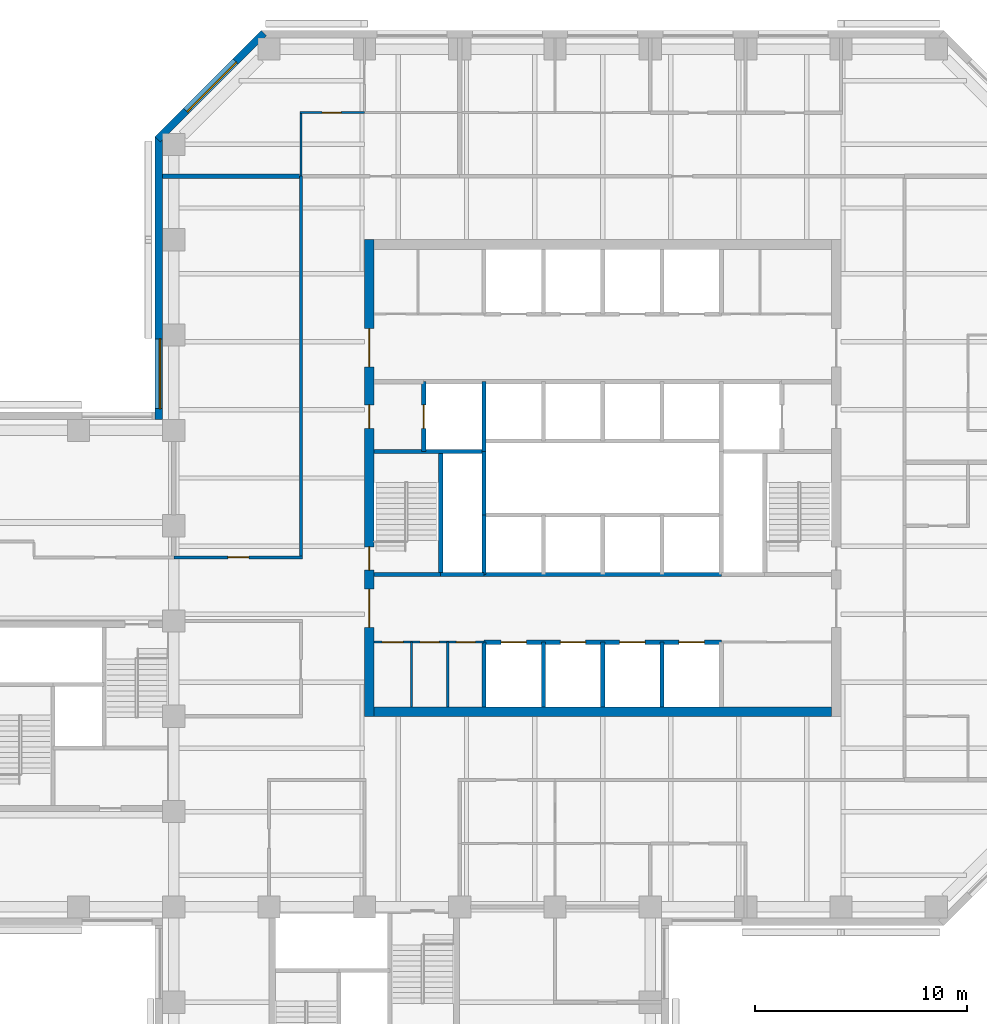
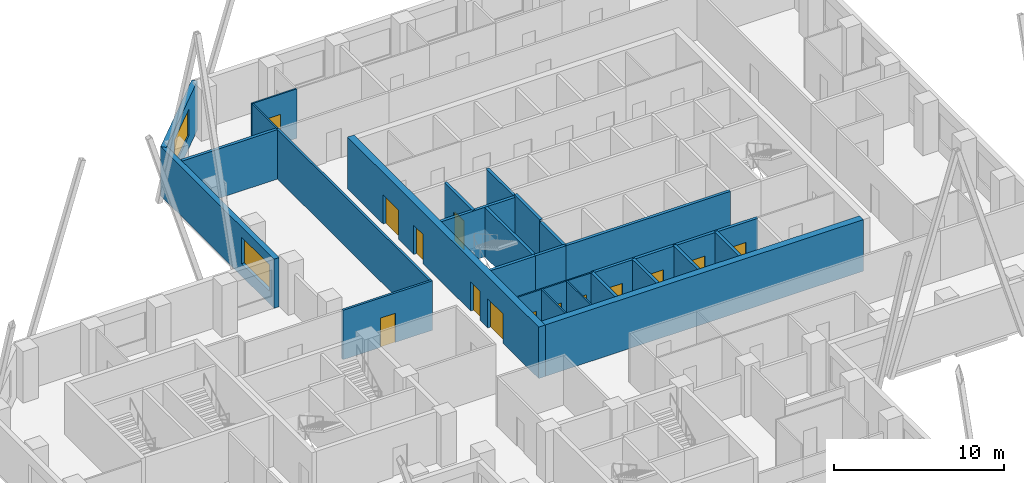
# One storey, part 6 of 10: 26 walls, 14 doors, 2 windows, 16 openings.
"""IFC4 building model written with IfcOpenShell, lengths in metres."""

from ifc_helpers import new_model, si_unit, direction, frame, frame_2d, origin, place, context, subcontext, project, spatial, rectangle, extrude, material, layer, layer_set, constituent, constituent_set, type_object, element, fill, save


model = new_model("IFC4")

# Units and contexts
model_context = context("Model", 3, precision=1e-05, world=origin(), true_north=direction((0.0, 1.0)))
body_context = subcontext(model_context, "Body", "Model", "MODEL_VIEW")
ifc_project = project(units=[si_unit("LENGTHUNIT", "METRE"), si_unit("AREAUNIT", "SQUARE_METRE"), si_unit("VOLUMEUNIT", "CUBIC_METRE"), si_unit("PLANEANGLEUNIT", "RADIAN"), si_unit("MASSUNIT", "GRAM", prefix="KILO")], contexts=[model_context])

# Site, building, storey
site_placement = place(None, origin())
site = spatial("IfcSite", under=ifc_project, at=site_placement, CompositionType="ELEMENT")
building_placement = place(site_placement, origin())
building = spatial("IfcBuilding", under=site, at=building_placement, Name="Quoin Convention Tower", CompositionType="ELEMENT")
storey_placement = place(building_placement, frame((0.0, 0.0, 97.39990234375)))
storey = spatial("IfcBuildingStorey", under=building, at=storey_placement, Name="L25", CompositionType="ELEMENT", Elevation=97.39990234375)

# Wall, opening, window
ifc_material_1 = material(Name="Brick masonry", Category="masonry")
ifc_layer_1 = layer(ifc_material_1, 0.35009765625)
ifc_layer_set_1 = layer_set([ifc_layer_1], Name="Brick masonry")
wall_type_1 = type_object("IfcWallType", Name="Brick facade wall", PredefinedType="STANDARD", material=ifc_layer_set_1)
wall_1_placement = place(storey_placement, frame((40.26123046875, 81.751220703125, 0.0), z_axis=(0.0, 0.0, 1.0), x_axis=(-0.707106781187, -0.707106781187, 0.0)))
wall_1 = element("IfcWall", 1, at=wall_1_placement, inside=storey, type_object=wall_type_1, Name="fw-L25-40500_81000", PredefinedType="STANDARD", context=body_context, shape_type="SweptSolid", body=[
    extrude(rectangle(XDim=7.088623046875, YDim=0.35009765625, at=frame_2d((3.54443359375, 0.0))), origin(), (0.0, 0.0, 1.0), 3.525146484375),
])
opening_1_placement = place(wall_1_placement, frame((1.894287109375, 0.0, 0.89990234375)))
opening_1 = element("IfcOpeningElement", 2, at=opening_1_placement, cuts=wall_1, Name="Opening W-02", PredefinedType="OPENING", context=body_context, shape_type="SweptSolid", body=[
    extrude(rectangle(XDim=3.300048828125, YDim=1.89990234375, at=frame_2d((1.64990234375, 0.949951171875))), frame((0.0, 0.18505859375, 0.0), z_axis=(0.0, -1.0, 0.0), x_axis=(1.0, 0.0, 0.0)), (0.0, 0.0, 1.0), 0.3701171875),
])
ifc_material_2 = material(Name="Aluminium", Category="aluminium")
ifc_constituent_1 = constituent(ifc_material_2, Name="Frame")
ifc_material_3 = material(Name="Insulated glass", Category="glass")
ifc_constituent_2 = constituent(ifc_material_3, Name="Glazing")
ifc_constituent_set = constituent_set(constituents=[ifc_constituent_1, ifc_constituent_2], Name="Aluminium")
window_type = type_object("IfcWindowType", Name="Office window", PartitioningType="DOUBLE_PANEL_VERTICAL", PredefinedType="WINDOW", material=ifc_constituent_set)
window_1_placement = place(opening_1_placement, origin())
window_1 = element("IfcWindow", 3, at=window_1_placement, inside=storey, type_object=window_type, Name="win-L25-37755_79245", OverallHeight=1.89990234375, OverallWidth=3.300048828125, PartitioningType="SINGLE_PANEL", PredefinedType="WINDOW", context=body_context, shape_type="SweptSolid", body=[
    extrude(rectangle(XDim=3.300048828125, YDim=1.89990234375, at=frame_2d((1.64990234375, 0.949951171875))), frame((0.0, 0.0849609375, 0.0), z_axis=(0.0, -1.0, 0.0), x_axis=(1.0, 0.0, 0.0)), (0.0, 0.0, 1.0), 0.06005859375),
])
fill(opening_1, window_1)

wall_2_placement = place(storey_placement, frame((35.300048828125, 76.8623046875, 0.0), z_axis=(0.0, 0.0, 1.0), x_axis=(0.0, -1.0, 0.0)))
wall_2 = element("IfcWall", 4, at=wall_2_placement, inside=storey, type_object=wall_type_1, Name="fw-L25-36000_76500", PredefinedType="STANDARD", context=body_context, shape_type="SweptSolid", body=[
    extrude(rectangle(XDim=13.33740234375, YDim=0.35009765625, at=frame_2d((6.668701171875, 0.0))), origin(), (0.0, 0.0, 1.0), 3.525146484375),
])
opening_2_placement = place(wall_2_placement, frame((9.537353515625, 0.0, 0.89990234375)))
opening_2 = element("IfcOpeningElement", 5, at=opening_2_placement, cuts=wall_2, Name="Opening W-02", PredefinedType="OPENING", context=body_context, shape_type="SweptSolid", body=[
    extrude(rectangle(XDim=3.300048828125, YDim=1.89990234375, at=frame_2d((1.64990234375, 0.949951171875))), frame((0.0, 0.18505859375, 0.0), z_axis=(0.0, -1.0, 0.0), x_axis=(1.0, 0.0, 0.0)), (0.0, 0.0, 1.0), 0.3701171875),
])
window_2_placement = place(opening_2_placement, origin())
window_2 = element("IfcWindow", 6, at=window_2_placement, inside=storey, type_object=window_type, Name="win-L25-35300_65250", OverallHeight=1.89990234375, OverallWidth=3.300048828125, PartitioningType="SINGLE_PANEL", PredefinedType="WINDOW", context=body_context, shape_type="SweptSolid", body=[
    extrude(rectangle(XDim=3.300048828125, YDim=1.89990234375, at=frame_2d((1.64990234375, 0.949951171875))), frame((0.0, 0.0849609375, 0.0), z_axis=(0.0, -1.0, 0.0), x_axis=(1.0, 0.0, 0.0)), (0.0, 0.0, 1.0), 0.06005859375),
])
fill(opening_2, window_2)

# Wall, openings, doors
ifc_material_4 = material(Name="Plasterboard")
ifc_layer_2 = layer(ifc_material_4, 0.012451171875, Name="Finish")
ifc_material_5 = material(Name="Steel stud framing", Category="steel")
ifc_layer_3 = layer(ifc_material_5, 0.074951171875, Name="Structure")
ifc_layer_4 = layer(ifc_material_4, 0.012451171875, Name="Finish")
ifc_layer_set_2 = layer_set([ifc_layer_2, ifc_layer_3, ifc_layer_4], Name="Steel stud framing")
wall_type_2 = type_object("IfcWallType", Name="Core partition wall", PredefinedType="PARTITIONING", material=ifc_layer_set_2)
wall_3_placement = place(storey_placement, frame((45.449951171875, 53.0, 0.0), z_axis=(0.0, 0.0, 1.0), x_axis=(1.0, 0.0, 0.0)))
wall_3 = element("IfcWall", 7, at=wall_3_placement, inside=storey, type_object=wall_type_2, Name="cr-C1-L25-h3500_450", PredefinedType="PARTITIONING", context=body_context, shape_type="SweptSolid", body=[
    extrude(rectangle(XDim=5.199951171875, YDim=0.10009765625, at=frame_2d((2.60009765625, 0.0))), origin(), (0.0, 0.0, 1.0), 3.550048828125),
])
opening_3_placement = place(wall_3_placement, frame((0.384033203125, 0.0, 0.0)))
opening_3 = element("IfcOpeningElement", 8, at=opening_3_placement, cuts=wall_3, Name="Opening DCV3-31", PredefinedType="OPENING", context=body_context, shape_type="SweptSolid", body=[
    extrude(rectangle(XDim=1.0, YDim=2.10009765625, at=frame_2d((0.5, 1.050048828125))), frame((0.0, 0.06005859375, 0.0), z_axis=(0.0, -1.0, 0.0), x_axis=(1.0, 0.0, 0.0)), (0.0, 0.0, 1.0), 0.1201171875),
])
opening_4_placement = place(wall_3_placement, frame((2.176025390625, 0.0, 0.0)))
opening_4 = element("IfcOpeningElement", 9, at=opening_4_placement, cuts=wall_3, Name="Opening DCV3-32", PredefinedType="OPENING", context=body_context, shape_type="SweptSolid", body=[
    extrude(rectangle(XDim=0.89990234375, YDim=2.10009765625, at=frame_2d((0.449951171875, 1.050048828125))), frame((0.0, 0.06005859375, 0.0), z_axis=(0.0, -1.0, 0.0), x_axis=(1.0, 0.0, 0.0)), (0.0, 0.0, 1.0), 0.1201171875),
])
opening_5_placement = place(wall_3_placement, frame((3.89208984375, 0.0, 0.0)))
opening_5 = element("IfcOpeningElement", 10, at=opening_5_placement, cuts=wall_3, Name="Opening DCV3-33", PredefinedType="OPENING", context=body_context, shape_type="SweptSolid", body=[
    extrude(rectangle(XDim=0.89990234375, YDim=2.10009765625, at=frame_2d((0.449951171875, 1.050048828125))), frame((0.0, 0.06005859375, 0.0), z_axis=(0.0, -1.0, 0.0), x_axis=(1.0, 0.0, 0.0)), (0.0, 0.0, 1.0), 0.1201171875),
])
ifc_material_6 = material(Name="Steel door leaf", Category="steel")
door_type_1 = type_object("IfcDoorType", Name="Core room door 1000 x 2100", OperationType="SINGLE_SWING_LEFT", PredefinedType="DOOR", material=ifc_material_6)
door_1_placement = place(opening_3_placement, frame((1.0, 0.0, 0.0), z_axis=(0.0, 0.0, 1.0), x_axis=(-1.0, 0.0, 0.0)))
door_1 = element("IfcDoor", 11, at=door_1_placement, inside=storey, type_object=door_type_1, Name="cd-C1-L25-CSW0-lobA-CD2512", OperationType="SINGLE_SWING_LEFT", OverallHeight=2.10009765625, OverallWidth=1.0, PredefinedType="DOOR", context=body_context, shape_type="SweptSolid", body=[
    extrude(rectangle(XDim=1.0, YDim=2.10009765625, at=frame_2d((0.5, 1.050048828125))), frame((0.0, 0.02490234375, 0.0), z_axis=(0.0, -1.0, 0.0), x_axis=(1.0, 0.0, 0.0)), (0.0, 0.0, 1.0), 0.050048828125),
])
fill(opening_3, door_1)
door_type_2 = type_object("IfcDoorType", Name="Core room door 900 x 2100", OperationType="SINGLE_SWING_LEFT", PredefinedType="DOOR", material=ifc_material_6)
door_2_placement = place(opening_4_placement, frame((0.89990234375, 0.0, 0.0), z_axis=(0.0, 0.0, 1.0), x_axis=(-1.0, 0.0, 0.0)))
door_2 = element("IfcDoor", 12, at=door_2_placement, inside=storey, type_object=door_type_2, Name="cd-C1-L25-CSW1-lobA-CD2513", OperationType="SINGLE_SWING_LEFT", OverallHeight=2.10009765625, OverallWidth=0.89990234375, PredefinedType="DOOR", context=body_context, shape_type="SweptSolid", body=[
    extrude(rectangle(XDim=0.89990234375, YDim=2.10009765625, at=frame_2d((0.449951171875, 1.050048828125))), frame((0.0, 0.02490234375, 0.0), z_axis=(0.0, -1.0, 0.0), x_axis=(1.0, 0.0, 0.0)), (0.0, 0.0, 1.0), 0.050048828125),
])
fill(opening_4, door_2)
door_3_placement = place(opening_5_placement, frame((0.89990234375, 0.0, 0.0), z_axis=(0.0, 0.0, 1.0), x_axis=(-1.0, 0.0, 0.0)))
door_3 = element("IfcDoor", 13, at=door_3_placement, inside=storey, type_object=door_type_2, Name="cd-C1-L25-CSW2-lobA-CD2514", OperationType="SINGLE_SWING_LEFT", OverallHeight=2.10009765625, OverallWidth=0.89990234375, PredefinedType="DOOR", context=body_context, shape_type="SweptSolid", body=[
    extrude(rectangle(XDim=0.89990234375, YDim=2.10009765625, at=frame_2d((0.449951171875, 1.050048828125))), frame((0.0, 0.02490234375, 0.0), z_axis=(0.0, -1.0, 0.0), x_axis=(1.0, 0.0, 0.0)), (0.0, 0.0, 1.0), 0.050048828125),
])
fill(opening_5, door_3)

# Walls
for number, where, z_axis, x_axis, name in (
    (14, (47.218017578125, 49.949951171875, 0.0), (0.0, 0.0, 1.0), (0.0, 1.0, 0.0), "cr-C1-L25-v2218_450"),
    (15, (48.93408203125, 49.949951171875, 0.0), (0.0, 0.0, 1.0), (0.0, 1.0, 0.0), "cr-C1-L25-v3934_450"),
):
    element("IfcWall", number, at=place(storey_placement, frame(where, z_axis=z_axis, x_axis=x_axis)), inside=storey, type_object=wall_type_2, Name=name, PredefinedType="PARTITIONING", context=body_context, shape_type="SweptSolid", body=[
        extrude(rectangle(XDim=3.050048828125, YDim=0.10009765625, at=frame_2d((1.52490234375, 0.0))), origin(), (0.0, 0.0, 1.0), 3.550048828125),
    ])

# Wall, openings, doors
ifc_material_7 = material(Name="Concrete C50", Category="concrete")
ifc_layer_5 = layer(ifc_material_7, 0.199951171875)
ifc_layer_set_3 = layer_set([ifc_layer_5], Name="Concrete C50")
wall_type_3 = type_object("IfcWallType", Name="Core shaft wall", PredefinedType="SOLIDWALL", material=ifc_layer_set_3)
wall_4_placement = place(storey_placement, frame((50.64990234375, 53.0, 0.0), z_axis=(0.0, 0.0, 1.0), x_axis=(1.0, 0.0, 0.0)))
wall_4 = element("IfcWall", 16, at=wall_4_placement, inside=storey, type_object=wall_type_3, Name="cr-C1-L25-h3500_5650", PredefinedType="SOLIDWALL", context=body_context, shape_type="SweptSolid", body=[
    extrude(rectangle(XDim=11.2001953125, YDim=0.199951171875, at=frame_2d((5.60009765625, 0.0))), origin(), (0.0, 0.0, 1.0), 3.550048828125),
])
opening_6_placement = place(wall_4_placement, frame((0.800048828125, 0.0, 0.0)))
opening_6 = element("IfcOpeningElement", 17, at=opening_6_placement, cuts=wall_4, Name="Opening LDL1", PredefinedType="OPENING", context=body_context, shape_type="SweptSolid", body=[
    extrude(rectangle(XDim=1.199951171875, YDim=2.10009765625, at=frame_2d((0.60009765625, 1.050048828125))), frame((0.0, 0.10986328125, 0.0), z_axis=(0.0, -1.0, 0.0), x_axis=(1.0, 0.0, 0.0)), (0.0, 0.0, 1.0), 0.219970703125),
])
opening_7_placement = place(wall_4_placement, frame((3.60009765625, 0.0, 0.0)))
opening_7 = element("IfcOpeningElement", 18, at=opening_7_placement, cuts=wall_4, Name="Opening LDL2", PredefinedType="OPENING", context=body_context, shape_type="SweptSolid", body=[
    extrude(rectangle(XDim=1.199951171875, YDim=2.10009765625, at=frame_2d((0.60009765625, 1.050048828125))), frame((0.0, 0.10986328125, 0.0), z_axis=(0.0, -1.0, 0.0), x_axis=(1.0, 0.0, 0.0)), (0.0, 0.0, 1.0), 0.219970703125),
])
opening_8_placement = place(wall_4_placement, frame((6.39990234375, 0.0, 0.0)))
opening_8 = element("IfcOpeningElement", 19, at=opening_8_placement, cuts=wall_4, Name="Opening LDL3", PredefinedType="OPENING", context=body_context, shape_type="SweptSolid", body=[
    extrude(rectangle(XDim=1.199951171875, YDim=2.10009765625, at=frame_2d((0.60009765625, 1.050048828125))), frame((0.0, 0.10986328125, 0.0), z_axis=(0.0, -1.0, 0.0), x_axis=(1.0, 0.0, 0.0)), (0.0, 0.0, 1.0), 0.219970703125),
])
opening_9_placement = place(wall_4_placement, frame((9.199951171875, 0.0, 0.0)))
opening_9 = element("IfcOpeningElement", 20, at=opening_9_placement, cuts=wall_4, Name="Opening LDL4", PredefinedType="OPENING", context=body_context, shape_type="SweptSolid", body=[
    extrude(rectangle(XDim=1.199951171875, YDim=2.10009765625, at=frame_2d((0.60009765625, 1.050048828125))), frame((0.0, 0.10986328125, 0.0), z_axis=(0.0, -1.0, 0.0), x_axis=(1.0, 0.0, 0.0)), (0.0, 0.0, 1.0), 0.219970703125),
])
door_type_3 = type_object("IfcDoorType", Name="Lift landing door 1200 x 2100", OperationType="DOUBLE_DOOR_SLIDING", PredefinedType="DOOR", material=ifc_material_6)
door_4_placement = place(opening_6_placement, origin())
door_4 = element("IfcDoor", 21, at=door_4_placement, inside=storey, type_object=door_type_3, Name="cd-C1-L25-R10-lobA-LDL1", OperationType="DOUBLE_DOOR_SLIDING", OverallHeight=2.10009765625, OverallWidth=1.199951171875, PredefinedType="DOOR", context=body_context, shape_type="SweptSolid", body=[
    extrude(rectangle(XDim=1.199951171875, YDim=2.10009765625, at=frame_2d((0.60009765625, 1.050048828125))), frame((0.0, 0.02490234375, 0.0), z_axis=(0.0, -1.0, 0.0), x_axis=(1.0, 0.0, 0.0)), (0.0, 0.0, 1.0), 0.050048828125),
])
fill(opening_6, door_4)
door_5_placement = place(opening_7_placement, origin())
door_5 = element("IfcDoor", 22, at=door_5_placement, inside=storey, type_object=door_type_3, Name="cd-C1-L25-R11-lobA-LDL2", OperationType="DOUBLE_DOOR_SLIDING", OverallHeight=2.10009765625, OverallWidth=1.199951171875, PredefinedType="DOOR", context=body_context, shape_type="SweptSolid", body=[
    extrude(rectangle(XDim=1.199951171875, YDim=2.10009765625, at=frame_2d((0.60009765625, 1.050048828125))), frame((0.0, 0.02490234375, 0.0), z_axis=(0.0, -1.0, 0.0), x_axis=(1.0, 0.0, 0.0)), (0.0, 0.0, 1.0), 0.050048828125),
])
fill(opening_7, door_5)
door_6_placement = place(opening_8_placement, origin())
door_6 = element("IfcDoor", 23, at=door_6_placement, inside=storey, type_object=door_type_3, Name="cd-C1-L25-R12-lobA-LDL3", OperationType="DOUBLE_DOOR_SLIDING", OverallHeight=2.10009765625, OverallWidth=1.199951171875, PredefinedType="DOOR", context=body_context, shape_type="SweptSolid", body=[
    extrude(rectangle(XDim=1.199951171875, YDim=2.10009765625, at=frame_2d((0.60009765625, 1.050048828125))), frame((0.0, 0.02490234375, 0.0), z_axis=(0.0, -1.0, 0.0), x_axis=(1.0, 0.0, 0.0)), (0.0, 0.0, 1.0), 0.050048828125),
])
fill(opening_8, door_6)
door_7_placement = place(opening_9_placement, origin())
door_7 = element("IfcDoor", 24, at=door_7_placement, inside=storey, type_object=door_type_3, Name="cd-C1-L25-R13-lobA-LDL4", OperationType="DOUBLE_DOOR_SLIDING", OverallHeight=2.10009765625, OverallWidth=1.199951171875, PredefinedType="DOOR", context=body_context, shape_type="SweptSolid", body=[
    extrude(rectangle(XDim=1.199951171875, YDim=2.10009765625, at=frame_2d((0.60009765625, 1.050048828125))), frame((0.0, 0.02490234375, 0.0), z_axis=(0.0, -1.0, 0.0), x_axis=(1.0, 0.0, 0.0)), (0.0, 0.0, 1.0), 0.050048828125),
])
fill(opening_9, door_7)

# Walls
wall_5_placement = place(storey_placement, frame((48.60009765625, 56.199951171875, 0.0), z_axis=(0.0, 0.0, 1.0), x_axis=(1.0, 0.0, 0.0)))
element("IfcWall", 25, at=wall_5_placement, inside=storey, type_object=wall_type_3, Name="cr-C1-L25-h6700_3600", PredefinedType="SOLIDWALL", context=body_context, shape_type="SweptSolid", body=[
    extrude(rectangle(XDim=2.0498046875, YDim=0.199951171875, at=frame_2d((1.02490234375, 0.0))), origin(), (0.0, 0.0, 1.0), 3.550048828125),
])
wall_6_placement = place(storey_placement, frame((45.449951171875, 56.199951171875, 0.0), z_axis=(0.0, 0.0, 1.0), x_axis=(1.0, 0.0, 0.0)))
element("IfcWall", 26, at=wall_6_placement, inside=storey, type_object=wall_type_3, Name="cr-C1-L25-h6700_450", PredefinedType="SOLIDWALL", context=body_context, shape_type="SweptSolid", body=[
    extrude(rectangle(XDim=3.150146484375, YDim=0.199951171875, at=frame_2d((1.5751953125, 0.0))), origin(), (0.0, 0.0, 1.0), 3.550048828125),
])
wall_7_placement = place(storey_placement, frame((50.64990234375, 56.199951171875, 0.0), z_axis=(0.0, 0.0, 1.0), x_axis=(1.0, 0.0, 0.0)))
element("IfcWall", 27, at=wall_7_placement, inside=storey, type_object=wall_type_3, Name="cr-C1-L25-h6700_5650", PredefinedType="SOLIDWALL", context=body_context, shape_type="SweptSolid", body=[
    extrude(rectangle(XDim=11.2001953125, YDim=0.199951171875, at=frame_2d((5.60009765625, 0.0))), origin(), (0.0, 0.0, 1.0), 3.550048828125),
])
wall_8_placement = place(storey_placement, frame((45.449951171875, 62.0, 0.0), z_axis=(0.0, 0.0, 1.0), x_axis=(1.0, 0.0, 0.0)))
element("IfcWall", 28, at=wall_8_placement, inside=storey, type_object=wall_type_3, Name="cr-C1-L25-h12500_450", PredefinedType="SOLIDWALL", context=body_context, shape_type="SweptSolid", body=[
    extrude(rectangle(XDim=5.199951171875, YDim=0.199951171875, at=frame_2d((2.60009765625, 0.0))), origin(), (0.0, 0.0, 1.0), 3.550048828125),
])

# Wall, opening, door
wall_9_placement = place(storey_placement, frame((47.800048828125, 62.0, 0.0), z_axis=(0.0, 0.0, 1.0), x_axis=(0.0, 1.0, 0.0)))
wall_9 = element("IfcWall", 29, at=wall_9_placement, inside=storey, type_object=wall_type_3, Name="cr-C1-L25-v2800_12500", PredefinedType="SOLIDWALL", context=body_context, shape_type="SweptSolid", body=[
    extrude(rectangle(XDim=3.300048828125, YDim=0.199951171875, at=frame_2d((1.64990234375, 0.0))), origin(), (0.0, 0.0, 1.0), 3.550048828125),
])
opening_10_placement = place(wall_9_placement, frame((1.10009765625, 0.0, 0.0)))
opening_10 = element("IfcOpeningElement", 30, at=opening_10_placement, cuts=wall_9, Name="Opening LDFL1", PredefinedType="OPENING", context=body_context, shape_type="SweptSolid", body=[
    extrude(rectangle(XDim=1.10009765625, YDim=2.10009765625, at=frame_2d((0.550048828125, 1.050048828125))), frame((0.0, 0.10986328125, 0.0), z_axis=(0.0, -1.0, 0.0), x_axis=(1.0, 0.0, 0.0)), (0.0, 0.0, 1.0), 0.219970703125),
])
door_type_4 = type_object("IfcDoorType", Name="Lift landing door 1100 x 2100", OperationType="DOUBLE_DOOR_SLIDING", PredefinedType="DOOR", material=ifc_material_6)
door_8_placement = place(opening_10_placement, origin())
door_8 = element("IfcDoor", 31, at=door_8_placement, inside=storey, type_object=door_type_4, Name="cd-C1-L25-FLW-FFW-LDFL1", OperationType="DOUBLE_DOOR_SLIDING", OverallHeight=2.10009765625, OverallWidth=1.10009765625, PredefinedType="DOOR", context=body_context, shape_type="SweptSolid", body=[
    extrude(rectangle(XDim=1.10009765625, YDim=2.10009765625, at=frame_2d((0.550048828125, 1.050048828125))), frame((0.0, 0.02490234375, 0.0), z_axis=(0.0, -1.0, 0.0), x_axis=(1.0, 0.0, 0.0)), (0.0, 0.0, 1.0), 0.050048828125),
])
fill(opening_10, door_8)

# Walls
wall_10_placement = place(storey_placement, frame((48.60009765625, 56.199951171875, 0.0), z_axis=(0.0, 0.0, 1.0), x_axis=(0.0, 1.0, 0.0)))
element("IfcWall", 32, at=wall_10_placement, inside=storey, type_object=wall_type_3, Name="cr-C1-L25-v3600_6700", PredefinedType="SOLIDWALL", context=body_context, shape_type="SweptSolid", body=[
    extrude(rectangle(XDim=5.800048828125, YDim=0.199951171875, at=frame_2d((2.89990234375, 0.0))), origin(), (0.0, 0.0, 1.0), 3.550048828125),
])
wall_11_placement = place(storey_placement, frame((50.64990234375, 49.949951171875, 0.0), z_axis=(0.0, 0.0, 1.0), x_axis=(0.0, 1.0, 0.0)))
element("IfcWall", 33, at=wall_11_placement, inside=storey, type_object=wall_type_3, Name="cr-C1-L25-v5650_450", PredefinedType="SOLIDWALL", context=body_context, shape_type="SweptSolid", body=[
    extrude(rectangle(XDim=3.050048828125, YDim=0.199951171875, at=frame_2d((1.52490234375, 0.0))), origin(), (0.0, 0.0, 1.0), 3.550048828125),
])
wall_12_placement = place(storey_placement, frame((50.64990234375, 56.199951171875, 0.0), z_axis=(0.0, 0.0, 1.0), x_axis=(0.0, 1.0, 0.0)))
element("IfcWall", 34, at=wall_12_placement, inside=storey, type_object=wall_type_3, Name="cr-C1-L25-v5650_6700", PredefinedType="SOLIDWALL", context=body_context, shape_type="SweptSolid", body=[
    extrude(rectangle(XDim=2.800048828125, YDim=0.199951171875, at=frame_2d((1.39990234375, 0.0))), origin(), (0.0, 0.0, 1.0), 3.550048828125),
])
wall_13_placement = place(storey_placement, frame((50.64990234375, 62.0, 0.0), z_axis=(0.0, 0.0, 1.0), x_axis=(0.0, 1.0, 0.0)))
element("IfcWall", 35, at=wall_13_placement, inside=storey, type_object=wall_type_3, Name="cr-C1-L25-v5650_12500", PredefinedType="SOLIDWALL", context=body_context, shape_type="SweptSolid", body=[
    extrude(rectangle(XDim=3.300048828125, YDim=0.199951171875, at=frame_2d((1.64990234375, 0.0))), origin(), (0.0, 0.0, 1.0), 3.550048828125),
])
for number, where, z_axis, x_axis, name in (
    (36, (53.449951171875, 49.949951171875, 0.0), (0.0, 0.0, 1.0), (0.0, 1.0, 0.0), "cr-C1-L25-v8450_450"),
    (37, (56.25, 49.949951171875, 0.0), (0.0, 0.0, 1.0), (0.0, 1.0, 0.0), "cr-C1-L25-v11250_450"),
    (38, (59.050048828125, 49.949951171875, 0.0), (0.0, 0.0, 1.0), (0.0, 1.0, 0.0), "cr-C1-L25-v14050_450"),
):
    element("IfcWall", number, at=place(storey_placement, frame(where, z_axis=z_axis, x_axis=x_axis)), inside=storey, type_object=wall_type_3, Name=name, PredefinedType="SOLIDWALL", context=body_context, shape_type="SweptSolid", body=[
        extrude(rectangle(XDim=3.050048828125, YDim=0.199951171875, at=frame_2d((1.52490234375, 0.0))), origin(), (0.0, 0.0, 1.0), 3.550048828125),
    ])
ifc_layer_6 = layer(ifc_material_7, 0.199951171875)
ifc_layer_set_4 = layer_set([ifc_layer_6], Name="Concrete C50")
wall_type_4 = type_object("IfcWallType", Name="Core shaft wall to the floor level over", PredefinedType="SOLIDWALL", material=ifc_layer_set_4)
wall_14_placement = place(storey_placement, frame((50.64990234375, 59.0, 0.0), z_axis=(0.0, 0.0, 1.0), x_axis=(0.0, 1.0, 0.0)))
element("IfcWall", 39, at=wall_14_placement, inside=storey, type_object=wall_type_4, Name="cr-C1-L25-v5650_9500", PredefinedType="SOLIDWALL", context=body_context, shape_type="SweptSolid", body=[
    extrude(rectangle(XDim=3.0, YDim=0.199951171875, at=frame_2d((1.5, 0.0))), origin(), (0.0, 0.0, 1.0), 3.7001953125),
])

# Wall, opening, door
ifc_layer_7 = layer(ifc_material_4, 0.012451171875, Name="Finish")
ifc_layer_8 = layer(ifc_material_5, 0.125, Name="Structure")
ifc_layer_9 = layer(ifc_material_4, 0.012451171875, Name="Finish")
ifc_layer_set_5 = layer_set([ifc_layer_7, ifc_layer_8, ifc_layer_9], Name="Steel stud framing")
wall_type_5 = type_object("IfcWallType", Name="Corridor wall 150", PredefinedType="PARTITIONING", material=ifc_layer_set_5)
wall_15_placement = place(storey_placement, frame((36.0, 57.0, 0.0), z_axis=(0.0, 0.0, 1.0), x_axis=(1.0, 0.0, 0.0)))
wall_15 = element("IfcWall", 40, at=wall_15_placement, inside=storey, type_object=wall_type_5, Name="pw-L25-033", PredefinedType="PARTITIONING", context=body_context, shape_type="SweptSolid", body=[
    extrude(rectangle(XDim=6.074951171875, YDim=0.14990234375, at=frame_2d((3.03759765625, 0.0))), origin(), (0.0, 0.0, 1.0), 3.550048828125),
])
opening_11_placement = place(wall_15_placement, frame((2.550048828125, 0.0, 0.0)))
opening_11 = element("IfcOpeningElement", 41, at=opening_11_placement, cuts=wall_15, Name="Opening DOL3-14", PredefinedType="OPENING", context=body_context, shape_type="SweptSolid", body=[
    extrude(rectangle(XDim=1.0, YDim=2.10009765625, at=frame_2d((0.5, 1.050048828125))), frame((0.0, 0.0849609375, 0.0), z_axis=(0.0, -1.0, 0.0), x_axis=(1.0, 0.0, 0.0)), (0.0, 0.0, 1.0), 0.169921875),
])
door_type_5 = type_object("IfcDoorType", Name="Tenancy entrance door 1000 x 2100", OperationType="DOUBLE_DOOR_SINGLE_SWING", PredefinedType="DOOR", material=ifc_material_6)
door_9_placement = place(opening_11_placement, origin())
door_9 = element("IfcDoor", 42, at=door_9_placement, inside=storey, type_object=door_type_5, Name="dr-L25-30", OperationType="DOUBLE_DOOR_SINGLE_SWING", OverallHeight=2.10009765625, OverallWidth=1.0, PredefinedType="DOOR", context=body_context, shape_type="SweptSolid", body=[
    extrude(rectangle(XDim=1.0, YDim=2.10009765625, at=frame_2d((0.5, 1.050048828125))), frame((0.0, 0.02490234375, 0.0), z_axis=(0.0, -1.0, 0.0), x_axis=(1.0, 0.0, 0.0)), (0.0, 0.0, 1.0), 0.050048828125),
])
fill(opening_11, door_9)

# Walls
wall_16_placement = place(storey_placement, frame((42.0, 57.074951171875, 0.0), z_axis=(0.0, 0.0, 1.0), x_axis=(0.0, 1.0, 0.0)))
element("IfcWall", 43, at=wall_16_placement, inside=storey, type_object=wall_type_5, Name="pw-L25-077", PredefinedType="PARTITIONING", context=body_context, shape_type="SweptSolid", body=[
    extrude(rectangle(XDim=17.925048828125, YDim=0.14990234375, at=frame_2d((8.96240234375, 0.0))), origin(), (0.0, 0.0, 1.0), 3.550048828125),
])
ifc_material_8 = material(Name="Concrete C65", Category="concrete")
ifc_layer_10 = layer(ifc_material_8, 0.449951171875)
ifc_layer_set_6 = layer_set([ifc_layer_10], Name="Concrete C65")
wall_type_6 = type_object("IfcWallType", Name="RC CORE WALL 450 C65", PredefinedType="SHEAR", material=ifc_layer_set_6)
wall_17_placement = place(storey_placement, frame((45.449951171875, 49.72509765625, 0.0), z_axis=(0.0, 0.0, 1.0), x_axis=(1.0, 0.0, 0.0)))
element("IfcWall", 44, at=wall_17_placement, inside=storey, type_object=wall_type_6, Name="cwl-C1-L25-S", PredefinedType="SHEAR", context=body_context, shape_type="SweptSolid", body=[
    extrude(rectangle(XDim=21.60009765625, YDim=0.449951171875, at=frame_2d((10.800048828125, 0.0))), origin(), (0.0, 0.0, 1.0), 3.7001953125),
])

# Wall, openings, doors
wall_18_placement = place(storey_placement, frame((45.22509765625, 49.5, 0.0), z_axis=(0.0, 0.0, 1.0), x_axis=(0.0, 1.0, 0.0)))
wall_18 = element("IfcWall", 45, at=wall_18_placement, inside=storey, type_object=wall_type_6, Name="cwl-C1-L25-W", PredefinedType="SHEAR", context=body_context, shape_type="SweptSolid", body=[
    extrude(rectangle(XDim=22.5, YDim=0.449951171875, at=frame_2d((11.25, 0.0))), origin(), (0.0, 0.0, 1.0), 3.7001953125),
])
opening_12_placement = place(wall_18_placement, frame((4.199951171875, 0.0, 0.0)))
opening_12 = element("IfcOpeningElement", 46, at=opening_12_placement, cuts=wall_18, Name="Opening DCV3-40", PredefinedType="OPENING", context=body_context, shape_type="SweptSolid", body=[
    extrude(rectangle(XDim=1.800048828125, YDim=2.10009765625, at=frame_2d((0.89990234375, 1.050048828125))), frame((0.0, 0.23486328125, 0.0), z_axis=(0.0, -1.0, 0.0), x_axis=(1.0, 0.0, 0.0)), (0.0, 0.0, 1.0), 0.469970703125),
])
opening_13_placement = place(wall_18_placement, frame((6.89990234375, 0.0, 0.0)))
opening_13 = element("IfcOpeningElement", 47, at=opening_13_placement, cuts=wall_18, Name="Opening SD1", PredefinedType="OPENING", context=body_context, shape_type="SweptSolid", body=[
    extrude(rectangle(XDim=1.10009765625, YDim=2.10009765625, at=frame_2d((0.550048828125, 1.050048828125))), frame((0.0, 0.23486328125, 0.0), z_axis=(0.0, -1.0, 0.0), x_axis=(1.0, 0.0, 0.0)), (0.0, 0.0, 1.0), 0.469970703125),
])
opening_14_placement = place(wall_18_placement, frame((13.60009765625, 0.0, 0.0)))
opening_14 = element("IfcOpeningElement", 48, at=opening_14_placement, cuts=wall_18, Name="Opening DCV3-39", PredefinedType="OPENING", context=body_context, shape_type="SweptSolid", body=[
    extrude(rectangle(XDim=1.10009765625, YDim=2.10009765625, at=frame_2d((0.550048828125, 1.050048828125))), frame((0.0, 0.23486328125, 0.0), z_axis=(0.0, -1.0, 0.0), x_axis=(1.0, 0.0, 0.0)), (0.0, 0.0, 1.0), 0.469970703125),
])
opening_15_placement = place(wall_18_placement, frame((16.5, 0.0, 0.0)))
opening_15 = element("IfcOpeningElement", 49, at=opening_15_placement, cuts=wall_18, Name="Opening DCV3-40", PredefinedType="OPENING", context=body_context, shape_type="SweptSolid", body=[
    extrude(rectangle(XDim=1.800048828125, YDim=2.10009765625, at=frame_2d((0.89990234375, 1.050048828125))), frame((0.0, 0.23486328125, 0.0), z_axis=(0.0, -1.0, 0.0), x_axis=(1.0, 0.0, 0.0)), (0.0, 0.0, 1.0), 0.469970703125),
])
door_type_6 = type_object("IfcDoorType", Name="Fire-fighting lobby door 1100 x 2100", OperationType="SINGLE_SWING_LEFT", PredefinedType="DOOR", material=ifc_material_6)
door_10_placement = place(opening_14_placement, frame((1.10009765625, 0.0, 0.0), z_axis=(0.0, 0.0, 1.0), x_axis=(-1.0, 0.0, 0.0)))
door_10 = element("IfcDoor", 50, at=door_10_placement, inside=storey, type_object=door_type_6, Name="cd-C1-L25-FFW-W", OperationType="SINGLE_SWING_LEFT", OverallHeight=2.10009765625, OverallWidth=1.10009765625, PredefinedType="DOOR", context=body_context, shape_type="SweptSolid", body=[
    extrude(rectangle(XDim=1.10009765625, YDim=2.10009765625, at=frame_2d((0.550048828125, 1.050048828125))), frame((0.0, 0.02490234375, 0.0), z_axis=(0.0, -1.0, 0.0), x_axis=(1.0, 0.0, 0.0)), (0.0, 0.0, 1.0), 0.050048828125),
])
fill(opening_14, door_10)
door_type_7 = type_object("IfcDoorType", Name="Lift lobby door 1800 x 2100", OperationType="SINGLE_SWING_LEFT", PredefinedType="DOOR", material=ifc_material_6)
door_11_placement = place(opening_12_placement, frame((1.800048828125, 0.0, 0.0), z_axis=(0.0, 0.0, 1.0), x_axis=(-1.0, 0.0, 0.0)))
door_11 = element("IfcDoor", 51, at=door_11_placement, inside=storey, type_object=door_type_7, Name="cd-C1-L25-lobA-W", OperationType="SINGLE_SWING_LEFT", OverallHeight=2.10009765625, OverallWidth=1.800048828125, PredefinedType="DOOR", context=body_context, shape_type="SweptSolid", body=[
    extrude(rectangle(XDim=1.800048828125, YDim=2.10009765625, at=frame_2d((0.89990234375, 1.050048828125))), frame((0.0, 0.02490234375, 0.0), z_axis=(0.0, -1.0, 0.0), x_axis=(1.0, 0.0, 0.0)), (0.0, 0.0, 1.0), 0.050048828125),
])
fill(opening_12, door_11)
door_12_placement = place(opening_15_placement, frame((1.800048828125, 0.0, 0.0), z_axis=(0.0, 0.0, 1.0), x_axis=(-1.0, 0.0, 0.0)))
door_12 = element("IfcDoor", 52, at=door_12_placement, inside=storey, type_object=door_type_7, Name="cd-C1-L25-lobB-W", OperationType="SINGLE_SWING_LEFT", OverallHeight=2.10009765625, OverallWidth=1.800048828125, PredefinedType="DOOR", context=body_context, shape_type="SweptSolid", body=[
    extrude(rectangle(XDim=1.800048828125, YDim=2.10009765625, at=frame_2d((0.89990234375, 1.050048828125))), frame((0.0, 0.02490234375, 0.0), z_axis=(0.0, -1.0, 0.0), x_axis=(1.0, 0.0, 0.0)), (0.0, 0.0, 1.0), 0.050048828125),
])
fill(opening_15, door_12)
door_type_8 = type_object("IfcDoorType", Name="Stair door 1100 x 2100", OperationType="SINGLE_SWING_RIGHT", PredefinedType="DOOR", material=ifc_material_6)
door_13_placement = place(opening_13_placement, frame((1.10009765625, 0.0, 0.0), z_axis=(0.0, 0.0, 1.0), x_axis=(-1.0, 0.0, 0.0)))
door_13 = element("IfcDoor", 53, at=door_13_placement, inside=storey, type_object=door_type_8, Name="cd-C1-L25-STW-W", OperationType="SINGLE_SWING_RIGHT", OverallHeight=2.10009765625, OverallWidth=1.10009765625, PredefinedType="DOOR", context=body_context, shape_type="SweptSolid", body=[
    extrude(rectangle(XDim=1.10009765625, YDim=2.10009765625, at=frame_2d((0.550048828125, 1.050048828125))), frame((0.0, 0.02490234375, 0.0), z_axis=(0.0, -1.0, 0.0), x_axis=(1.0, 0.0, 0.0)), (0.0, 0.0, 1.0), 0.050048828125),
])
fill(opening_13, door_13)

# Wall, opening, door
ifc_layer_11 = layer(ifc_material_4, 0.012451171875, Name="Finish")
ifc_layer_12 = layer(ifc_material_5, 0.074951171875, Name="Structure")
ifc_layer_13 = layer(ifc_material_4, 0.012451171875, Name="Finish")
ifc_layer_set_7 = layer_set([ifc_layer_11, ifc_layer_12, ifc_layer_13], Name="Steel stud framing")
wall_type_7 = type_object("IfcWallType", Name="Stud partition 100", PredefinedType="PARTITIONING", material=ifc_layer_set_7)
wall_19_placement = place(storey_placement, frame((41.949951171875, 78.0, 0.0), z_axis=(0.0, 0.0, 1.0), x_axis=(1.0, 0.0, 0.0)))
wall_19 = element("IfcWall", 54, at=wall_19_placement, inside=storey, type_object=wall_type_7, Name="pw-L25-043", PredefinedType="PARTITIONING", context=body_context, shape_type="SweptSolid", body=[
    extrude(rectangle(XDim=3.050048828125, YDim=0.10009765625, at=frame_2d((1.52490234375, 0.0))), origin(), (0.0, 0.0, 1.0), 3.550048828125),
])
opening_16_placement = place(wall_19_placement, frame((1.050048828125, 0.0, 0.0)))
opening_16 = element("IfcOpeningElement", 55, at=opening_16_placement, cuts=wall_19, Name="Opening DOL3-18", PredefinedType="OPENING", context=body_context, shape_type="SweptSolid", body=[
    extrude(rectangle(XDim=0.89990234375, YDim=2.10009765625, at=frame_2d((0.449951171875, 1.050048828125))), frame((0.0, 0.06005859375, 0.0), z_axis=(0.0, -1.0, 0.0), x_axis=(1.0, 0.0, 0.0)), (0.0, 0.0, 1.0), 0.1201171875),
])
door_type_9 = type_object("IfcDoorType", Name="Office door 900 x 2100", OperationType="SINGLE_SWING_RIGHT", PredefinedType="DOOR", material=ifc_material_6)
door_14_placement = place(opening_16_placement, origin())
door_14 = element("IfcDoor", 56, at=door_14_placement, inside=storey, type_object=door_type_9, Name="dr-L25-23", OperationType="SINGLE_SWING_RIGHT", OverallHeight=2.10009765625, OverallWidth=0.89990234375, PredefinedType="DOOR", context=body_context, shape_type="SweptSolid", body=[
    extrude(rectangle(XDim=0.89990234375, YDim=2.10009765625, at=frame_2d((0.449951171875, 1.050048828125))), frame((0.0, 0.02490234375, 0.0), z_axis=(0.0, -1.0, 0.0), x_axis=(1.0, 0.0, 0.0)), (0.0, 0.0, 1.0), 0.050048828125),
])
fill(opening_16, door_14)

# Walls
wall_20_placement = place(storey_placement, frame((42.0, 75.0, 0.0), z_axis=(0.0, 0.0, 1.0), x_axis=(0.0, 1.0, 0.0)))
element("IfcWall", 57, at=wall_20_placement, inside=storey, type_object=wall_type_7, Name="pw-L25-083", PredefinedType="PARTITIONING", context=body_context, shape_type="SweptSolid", body=[
    extrude(rectangle(XDim=2.949951171875, YDim=0.10009765625, at=frame_2d((1.47509765625, 0.0))), origin(), (0.0, 0.0, 1.0), 3.550048828125),
])
ifc_layer_14 = layer(ifc_material_4, 0.012451171875, Name="Finish")
ifc_layer_15 = layer(ifc_material_5, 0.175048828125, Name="Structure")
ifc_layer_16 = layer(ifc_material_4, 0.012451171875, Name="Finish")
ifc_layer_set_8 = layer_set([ifc_layer_14, ifc_layer_15, ifc_layer_16], Name="Steel stud framing")
wall_type_8 = type_object("IfcWallType", Name="Tenancy demising wall 200", PredefinedType="PARTITIONING", material=ifc_layer_set_8)
wall_21_placement = place(storey_placement, frame((35.47509765625, 75.0, 0.0), z_axis=(0.0, 0.0, 1.0), x_axis=(1.0, 0.0, 0.0)))
element("IfcWall", 58, at=wall_21_placement, inside=storey, type_object=wall_type_8, Name="pw-L25-039", PredefinedType="PARTITIONING", context=body_context, shape_type="SweptSolid", body=[
    extrude(rectangle(XDim=6.449951171875, YDim=0.199951171875, at=frame_2d((3.22509765625, 0.0))), origin(), (0.0, 0.0, 1.0), 3.550048828125),
])

save(model, "model.ifc")
